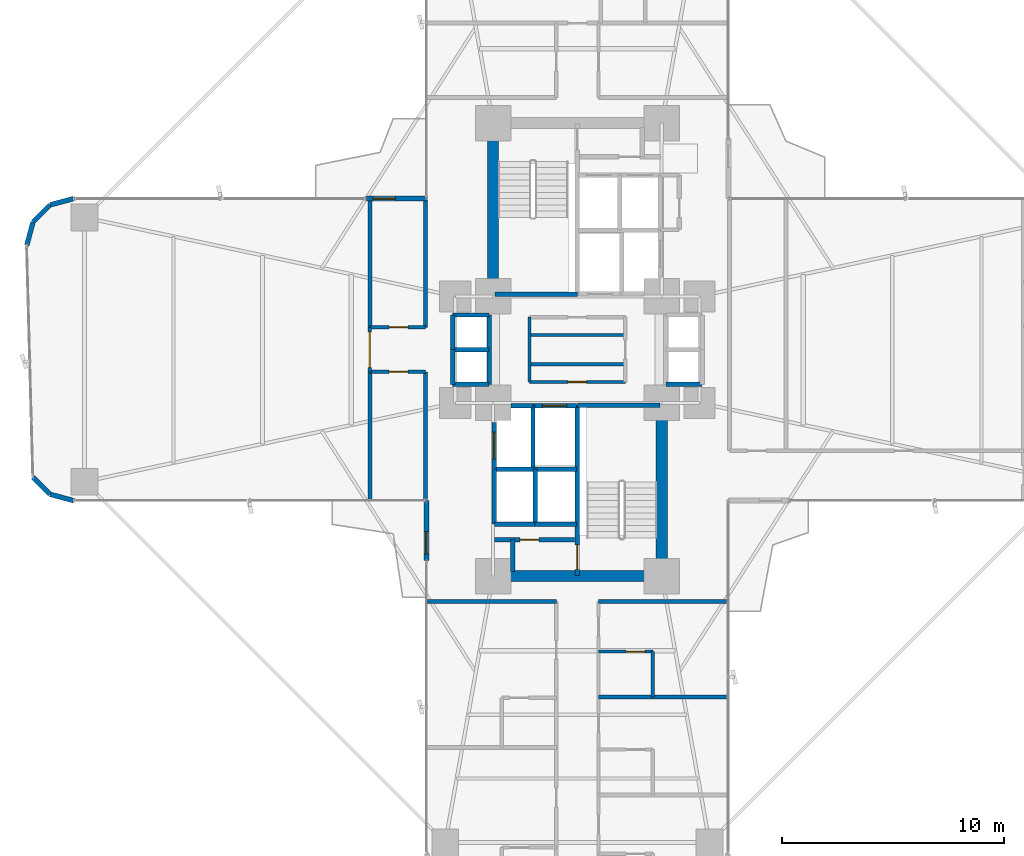
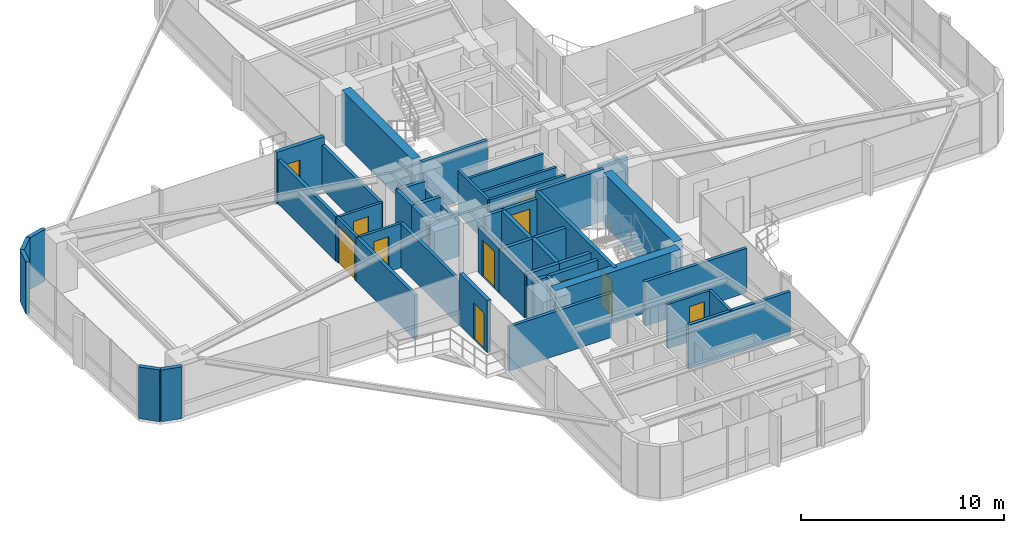
# One storey, part 22 of 25: 47 walls, 11 doors, 11 openings.
"""IFC4 building model written with IfcOpenShell, lengths in metres."""

from ifc_helpers import new_model, si_unit, direction, frame, frame_2d, origin, origin_2d, place, context, subcontext, project, spatial, rectangle, extrude, source, transform, mapped, material, layer, layer_set, type_object, element, fill, save


model = new_model("IFC4")

# Units and contexts
model_context = context("Model", 3, precision=1e-05, world=origin(), true_north=direction((0.0, 1.0)))
body_context = subcontext(model_context, "Body", "Model", "MODEL_VIEW")
ifc_project = project(units=[si_unit("LENGTHUNIT", "METRE"), si_unit("AREAUNIT", "SQUARE_METRE"), si_unit("VOLUMEUNIT", "CUBIC_METRE"), si_unit("PLANEANGLEUNIT", "RADIAN"), si_unit("MASSUNIT", "GRAM", prefix="KILO")], contexts=[model_context])

# Site, building, storey
site_placement = place(None, origin())
site = spatial("IfcSite", under=ifc_project, at=site_placement, CompositionType="ELEMENT")
building_placement = place(site_placement, origin())
building = spatial("IfcBuilding", under=site, at=building_placement, Name="Sahyath Konkavel Grand Hotel", CompositionType="ELEMENT")
storey_placement = place(building_placement, frame((0.0, 0.0, 39.85009765625)))
storey = spatial("IfcBuildingStorey", under=building, at=storey_placement, Name="L10", CompositionType="ELEMENT", Elevation=39.85009765625)

# Walls
ifc_material_1 = material(Name="Concrete C70/85", Category="concrete")
ifc_layer_1 = layer(ifc_material_1, 0.5)
ifc_layer_set_1 = layer_set([ifc_layer_1], Name="Concrete C70/85")
wall_type_1 = type_object("IfcWallType", Name="CWALL-500", PredefinedType="SHEAR", material=ifc_layer_set_1)
wall_1_placement = place(storey_placement, frame((-3.800048828125, 2.85009765625, 0.0), z_axis=(0.0, 0.0, 1.0), x_axis=(0.0, 1.0, 0.0)))
element("IfcWall", 1, at=wall_1_placement, inside=storey, type_object=wall_type_1, Name="L10 North Core Shear Wall W", PredefinedType="SHEAR", context=body_context, shape_type="SweptSolid", body=[
    extrude(rectangle(XDim=6.89990234375, YDim=0.5, at=frame_2d((3.449951171875, 0.0))), origin(), (0.0, 0.0, 1.0), 3.10986328125),
])
wall_2_placement = place(storey_placement, frame((-3.550048828125, -10.199951171875, 0.0), z_axis=(0.0, 0.0, 1.0), x_axis=(1.0, 0.0, 0.0)))
element("IfcWall", 2, at=wall_2_placement, inside=storey, type_object=wall_type_1, Name="L10 South Core Shear Wall S", PredefinedType="SHEAR", context=body_context, shape_type="SweptSolid", body=[
    extrude(rectangle(XDim=7.10009765625, YDim=0.5, at=frame_2d((3.550048828125, 0.0))), origin(), (0.0, 0.0, 1.0), 3.10986328125),
])
wall_3_placement = place(storey_placement, frame((3.800048828125, -9.75, 0.0), z_axis=(0.0, 0.0, 1.0), x_axis=(0.0, 1.0, 0.0)))
element("IfcWall", 3, at=wall_3_placement, inside=storey, type_object=wall_type_1, Name="L10 South Core Shear Wall E", PredefinedType="SHEAR", context=body_context, shape_type="SweptSolid", body=[
    extrude(rectangle(XDim=6.89990234375, YDim=0.5, at=frame_2d((3.449951171875, 0.0))), origin(), (0.0, 0.0, 1.0), 3.10986328125),
])

# Wall, opening, door
ifc_material_2 = material(Name="Warm Buff Sandstone Insulated Concrete C40/50", Category="masonry")
ifc_layer_2 = layer(ifc_material_2, 0.219970703125)
ifc_layer_set_2 = layer_set([ifc_layer_2], Name="Warm Buff Sandstone Insulated Concrete C40/50")
wall_type_2 = type_object("IfcWallType", Name="WLL-BALC-THRESH", PredefinedType="STANDARD", material=ifc_layer_set_2)
wall_4_placement = place(storey_placement, frame((-6.800048828125, 6.800048828125, 0.0), z_axis=(0.0, 0.0, 1.0), x_axis=(-1.0, 0.0, 0.0)))
wall_4 = element("IfcWall", 4, at=wall_4_placement, inside=storey, type_object=wall_type_2, Name="L10 Winter-Garden Threshold Wall 16", PredefinedType="STANDARD", context=body_context, shape_type="SweptSolid", body=[
    extrude(rectangle(XDim=2.699951171875, YDim=0.219970703125, at=frame_2d((1.35009765625, 0.0))), origin(), (0.0, 0.0, 1.0), 3.10986328125),
])
opening_1_placement = place(wall_4_placement, frame((1.39990234375, 0.0, 0.0)))
opening_1 = element("IfcOpeningElement", 5, at=opening_1_placement, cuts=wall_4, Name="Opening D-TR1", PredefinedType="OPENING", context=body_context, shape_type="SweptSolid", body=[
    extrude(rectangle(XDim=1.0, YDim=2.199951171875, at=frame_2d((0.5, 1.10009765625))), frame((0.0, 0.1201171875, 0.0), z_axis=(0.0, -1.0, 0.0), x_axis=(1.0, 0.0, 0.0)), (0.0, 0.0, 1.0), 0.239990234375),
])
ifc_material_3 = material(Name="Anodised Bronze Aluminium & Low-E Glazing", Category="aluminium")
door_type_1 = type_object("IfcDoorType", Name="DR-TERRACE-1000", OperationType="NOTDEFINED", PredefinedType="DOOR", material=ifc_material_3)
shared_shape_1 = source(origin(), body_context, "Body", "SweptSolid", [
    extrude(rectangle(XDim=1.0, YDim=0.050048828125, at=origin_2d()), origin(), (0.0, 0.0, 1.0), 2.199951171875),
])
door_1_placement = place(opening_1_placement, frame((0.5, 0.0, 0.0)))
door_1 = element("IfcDoor", 6, at=door_1_placement, inside=storey, type_object=door_type_1, Name="L10 Winter-Garden Terrace Door 16", OperationType="SINGLE_SWING_LEFT", OverallHeight=2.199951171875, OverallWidth=1.0, PredefinedType="DOOR", context=body_context, shape_type="MappedRepresentation", body=[
    mapped(shared_shape_1, transform((0.0, 0.0, 0.0), scale=1.0)),
])
fill(opening_1, door_1)

# Walls
for number, where, z_axis, x_axis, name in (
    (7, (-22.699951171875, 6.800048828125, 0.0), (0.0, 0.0, 1.0), (-0.965951058412, -0.25872485917, 0.0), "L10 Rounded Corner Sandstone Pier 17"),
    (8, (-23.75, 6.518798828125, 0.0), (0.0, 0.0, 1.0), (-0.707106781187, -0.707106781187, 0.0), "L10 Rounded Corner Sandstone Pier 18"),
    (9, (-24.518798828125, 5.75, 0.0), (0.0, 0.0, 1.0), (-0.25872485917, -0.965951058412, 0.0), "L10 Rounded Corner Sandstone Pier 19"),
    (10, (-24.518798828125, -5.75, 0.0), (0.0, 0.0, 1.0), (0.707106781187, -0.707106781187, 0.0), "L10 Rounded Corner Sandstone Pier 21"),
    (11, (-23.75, -6.518798828125, 0.0), (0.0, 0.0, 1.0), (0.965951058412, -0.25872485917, 0.0), "L10 Rounded Corner Sandstone Pier 22"),
):
    element("IfcWall", number, at=place(storey_placement, frame(where, z_axis=z_axis, x_axis=x_axis)), inside=storey, type_object=wall_type_2, Name=name, PredefinedType="STANDARD", context=body_context, shape_type="SweptSolid", body=[
        extrude(rectangle(XDim=1.087158203125, YDim=0.219970703125, at=frame_2d((0.54345703125, 0.0))), origin(), (0.0, 0.0, 1.0), 3.10986328125),
    ])

# Wall, opening, door
wall_5_placement = place(storey_placement, frame((-6.800048828125, -6.800048828125, 0.0), z_axis=(0.0, 0.0, 1.0), x_axis=(0.0, -1.0, 0.0)))
wall_5 = element("IfcWall", 12, at=wall_5_placement, inside=storey, type_object=wall_type_2, Name="L10 Winter-Garden Threshold Wall 24", PredefinedType="STANDARD", context=body_context, shape_type="SweptSolid", body=[
    extrude(rectangle(XDim=2.699951171875, YDim=0.219970703125, at=frame_2d((1.35009765625, 0.0))), origin(), (0.0, 0.0, 1.0), 3.10986328125),
])
opening_2_placement = place(wall_5_placement, frame((1.39990234375, 0.0, 0.0)))
opening_2 = element("IfcOpeningElement", 13, at=opening_2_placement, cuts=wall_5, Name="Opening D-TR1", PredefinedType="OPENING", context=body_context, shape_type="SweptSolid", body=[
    extrude(rectangle(XDim=1.0, YDim=2.199951171875, at=frame_2d((0.5, 1.10009765625))), frame((0.0, 0.1201171875, 0.0), z_axis=(0.0, -1.0, 0.0), x_axis=(1.0, 0.0, 0.0)), (0.0, 0.0, 1.0), 0.239990234375),
])
door_2_placement = place(opening_2_placement, frame((0.5, 0.0, 0.0)))
door_2 = element("IfcDoor", 14, at=door_2_placement, inside=storey, type_object=door_type_1, Name="L10 Winter-Garden Terrace Door 24", OperationType="SINGLE_SWING_LEFT", OverallHeight=2.199951171875, OverallWidth=1.0, PredefinedType="DOOR", context=body_context, shape_type="MappedRepresentation", body=[
    mapped(shared_shape_1, transform((0.0, 0.0, 0.0), scale=1.0)),
])
fill(opening_2, door_2)

# Wall
ifc_material_4 = material(Name="Concrete C40/50", Category="concrete")
ifc_layer_3 = layer(ifc_material_4, 0.199951171875)
ifc_layer_set_3 = layer_set([ifc_layer_3], Name="Concrete C40/50")
wall_type_3 = type_object("IfcWallType", Name="WLL-CORE-200", PredefinedType="SOLIDWALL", material=ifc_layer_set_3)
wall_6_placement = place(storey_placement, frame((-3.719970703125, 2.5, 0.0), z_axis=(0.0, 0.0, 1.0), x_axis=(1.0, 0.0, 0.0)))
element("IfcWall", 15, at=wall_6_placement, inside=storey, type_object=wall_type_3, Name="L10 Stair ST-1 Shaft Wall S", PredefinedType="SOLIDWALL", context=body_context, shape_type="SweptSolid", body=[
    extrude(rectangle(XDim=3.719970703125, YDim=0.199951171875, at=frame_2d((1.85986328125, 0.0))), origin(), (0.0, 0.0, 1.0), 3.10986328125),
])

# Wall, opening, door
wall_7_placement = place(storey_placement, frame((0.0, -10.179931640625, 0.0), z_axis=(0.0, 0.0, 1.0), x_axis=(0.0, 1.0, 0.0)))
wall_7 = element("IfcWall", 16, at=wall_7_placement, inside=storey, type_object=wall_type_3, Name="L10 Stair ST-2 Shaft Wall W", PredefinedType="SOLIDWALL", context=body_context, shape_type="SweptSolid", body=[
    extrude(rectangle(XDim=7.679931640625, YDim=0.199951171875, at=frame_2d((3.83984375, 0.0))), origin(), (0.0, 0.0, 1.0), 3.10986328125),
])
opening_3_placement = place(wall_7_placement, frame((0.280029296875, 0.0, 0.0)))
opening_3 = element("IfcOpeningElement", 17, at=opening_3_placement, cuts=wall_7, Name="Opening D-F12B", PredefinedType="OPENING", context=body_context, shape_type="SweptSolid", body=[
    extrude(rectangle(XDim=1.10009765625, YDim=2.14990234375, at=frame_2d((0.550048828125, 1.074951171875))), frame((0.0, 0.10986328125, 0.0), z_axis=(0.0, -1.0, 0.0), x_axis=(1.0, 0.0, 0.0)), (0.0, 0.0, 1.0), 0.219970703125),
])
ifc_material_5 = material(Name="Steel E350 Smokeproof Fire Door", Category="steel")
door_type_2 = type_object("IfcDoorType", Name="DR-FD120-1100", OperationType="NOTDEFINED", PredefinedType="DOOR", material=ifc_material_5)
shared_shape_2 = source(origin(), body_context, "Body", "SweptSolid", [
    extrude(rectangle(XDim=1.10009765625, YDim=0.050048828125, at=origin_2d()), origin(), (0.0, 0.0, 1.0), 2.14990234375),
])
door_3_placement = place(opening_3_placement, frame((0.550048828125, 0.0, 0.0)))
door_3 = element("IfcDoor", 18, at=door_3_placement, inside=storey, type_object=door_type_2, Name="L10 Stair ST-2 Fire Door", OperationType="SINGLE_SWING_RIGHT", OverallHeight=2.14990234375, OverallWidth=1.10009765625, PredefinedType="DOOR", context=body_context, shape_type="MappedRepresentation", body=[
    mapped(shared_shape_2, transform((0.0, 0.0, 0.0), scale=1.0)),
])
fill(opening_3, door_3)

# Walls
wall_8_placement = place(storey_placement, frame((0.0, -2.5, 0.0), z_axis=(0.0, 0.0, 1.0), x_axis=(1.0, 0.0, 0.0)))
element("IfcWall", 19, at=wall_8_placement, inside=storey, type_object=wall_type_3, Name="L10 Stair ST-2 Shaft Wall N", PredefinedType="SOLIDWALL", context=body_context, shape_type="SweptSolid", body=[
    extrude(rectangle(XDim=3.719970703125, YDim=0.199951171875, at=frame_2d((1.85986328125, 0.0))), origin(), (0.0, 0.0, 1.0), 3.10986328125),
])
wall_9_placement = place(storey_placement, frame((-2.0, -5.280029296875, 0.0), z_axis=(0.0, 0.0, 1.0), x_axis=(0.0, 1.0, 0.0)))
element("IfcWall", 20, at=wall_9_placement, inside=storey, type_object=wall_type_3, Name="L10 Partition SH-FFL2-W", PredefinedType="SOLIDWALL", context=body_context, shape_type="SweptSolid", body=[
    extrude(rectangle(XDim=2.780029296875, YDim=0.199951171875, at=frame_2d((1.39013671875, 0.0))), origin(), (0.0, 0.0, 1.0), 2.659912109375),
])

# Wall, opening, door
wall_10_placement = place(storey_placement, frame((-2.0, -2.52001953125, 0.0), z_axis=(0.0, 0.0, 1.0), x_axis=(1.0, 0.0, 0.0)))
wall_10 = element("IfcWall", 21, at=wall_10_placement, inside=storey, type_object=wall_type_3, Name="L10 Partition SH-FFL2-N", PredefinedType="SOLIDWALL", context=body_context, shape_type="SweptSolid", body=[
    extrude(rectangle(XDim=1.949951171875, YDim=0.199951171875, at=frame_2d((0.97509765625, 0.0))), origin(), (0.0, 0.0, 1.0), 2.659912109375),
])
opening_4_placement = place(wall_10_placement, frame((0.419921875, 0.0, 0.0)))
opening_4 = element("IfcOpeningElement", 22, at=opening_4_placement, cuts=wall_10, Name="Opening LD-11", PredefinedType="OPENING", context=body_context, shape_type="SweptSolid", body=[
    extrude(rectangle(XDim=1.10009765625, YDim=2.199951171875, at=frame_2d((0.550048828125, 1.10009765625))), frame((0.0, 0.10986328125, 0.0), z_axis=(0.0, -1.0, 0.0), x_axis=(1.0, 0.0, 0.0)), (0.0, 0.0, 1.0), 0.219970703125),
])
ifc_material_6 = material(Name="Bronze Lift Landing Door 1100")
door_type_3 = type_object("IfcDoorType", Name="DR-LIFT-1100", OperationType="DOUBLE_DOOR_SLIDING", PredefinedType="DOOR", material=ifc_material_6)
shared_shape_3 = source(origin(), body_context, "Body", "SweptSolid", [
    extrude(rectangle(XDim=1.10009765625, YDim=0.050048828125, at=origin_2d()), origin(), (0.0, 0.0, 1.0), 2.199951171875),
])
door_4_placement = place(opening_4_placement, frame((0.550048828125, 0.0, 0.0)))
door_4 = element("IfcDoor", 23, at=door_4_placement, inside=storey, type_object=door_type_3, Name="L10 Lift FFL-2 Landing Door", OperationType="DOUBLE_DOOR_SLIDING", OverallHeight=2.199951171875, OverallWidth=1.10009765625, PredefinedType="DOOR", context=body_context, shape_type="MappedRepresentation", body=[
    mapped(shared_shape_3, transform((0.0, 0.0, 0.0), scale=1.0)),
])
fill(opening_4, door_4)

# Wall
wall_11_placement = place(storey_placement, frame((-3.0, -2.52001953125, 0.0), z_axis=(0.0, 0.0, 1.0), x_axis=(1.0, 0.0, 0.0)))
element("IfcWall", 24, at=wall_11_placement, inside=storey, type_object=wall_type_3, Name="L10 Partition SH-SVL2-N", PredefinedType="SOLIDWALL", context=body_context, shape_type="SweptSolid", body=[
    extrude(rectangle(XDim=1.0, YDim=0.199951171875, at=frame_2d((0.5, 0.0))), origin(), (0.0, 0.0, 1.0), 2.659912109375),
])

# Wall, opening, door
wall_12_placement = place(storey_placement, frame((-3.739990234375, -5.360107421875, 0.0), z_axis=(0.0, 0.0, 1.0), x_axis=(0.0, 1.0, 0.0)))
wall_12 = element("IfcWall", 25, at=wall_12_placement, inside=storey, type_object=wall_type_3, Name="L10 Partition SH-SVL2-W", PredefinedType="SOLIDWALL", context=body_context, shape_type="SweptSolid", body=[
    extrude(rectangle(XDim=2.080078125, YDim=0.199951171875, at=frame_2d((1.0400390625, 0.0))), origin(), (0.0, 0.0, 1.0), 2.659912109375),
])
opening_5_placement = place(wall_12_placement, frame((0.43994140625, 0.0, 0.0)))
opening_5 = element("IfcOpeningElement", 26, at=opening_5_placement, cuts=wall_12, Name="Opening LD-12", PredefinedType="OPENING", context=body_context, shape_type="SweptSolid", body=[
    extrude(rectangle(XDim=1.199951171875, YDim=2.199951171875, at=frame_2d((0.60009765625, 1.10009765625))), frame((0.0, 0.10986328125, 0.0), z_axis=(0.0, -1.0, 0.0), x_axis=(1.0, 0.0, 0.0)), (0.0, 0.0, 1.0), 0.219970703125),
])
ifc_material_7 = material(Name="Stainless Steel Lift Landing Door 1200", Category="steel")
door_type_4 = type_object("IfcDoorType", Name="DR-LIFT-1200", OperationType="DOUBLE_DOOR_SLIDING", PredefinedType="DOOR", material=ifc_material_7)
shared_shape_4 = source(origin(), body_context, "Body", "SweptSolid", [
    extrude(rectangle(XDim=1.199951171875, YDim=0.050048828125, at=origin_2d()), origin(), (0.0, 0.0, 1.0), 2.199951171875),
])
door_5_placement = place(opening_5_placement, frame((0.60009765625, 0.0, 0.0)))
door_5 = element("IfcDoor", 27, at=door_5_placement, inside=storey, type_object=door_type_4, Name="L10 Service Lift SVL-2 Landing Door", OperationType="DOUBLE_DOOR_SLIDING", OverallHeight=2.199951171875, OverallWidth=1.199951171875, PredefinedType="DOOR", context=body_context, shape_type="MappedRepresentation", body=[
    mapped(shared_shape_4, transform((0.0, 0.0, 0.0), scale=1.0)),
])
fill(opening_5, door_5)

# Walls
wall_13_placement = place(storey_placement, frame((-3.739990234375, -7.860107421875, 0.0), z_axis=(0.0, 0.0, 1.0), x_axis=(0.0, 1.0, 0.0)))
element("IfcWall", 28, at=wall_13_placement, inside=storey, type_object=wall_type_3, Name="L10 Partition SH-PL3-W", PredefinedType="SOLIDWALL", context=body_context, shape_type="SweptSolid", body=[
    extrude(rectangle(XDim=2.480224609375, YDim=0.199951171875, at=frame_2d((1.240234375, 0.0))), origin(), (0.0, 0.0, 1.0), 2.659912109375),
])
wall_14_placement = place(storey_placement, frame((-3.739990234375, -7.860107421875, 0.0), z_axis=(0.0, 0.0, 1.0), x_axis=(1.0, 0.0, 0.0)))
element("IfcWall", 29, at=wall_14_placement, inside=storey, type_object=wall_type_3, Name="L10 Partition SH-PL3-S", PredefinedType="SOLIDWALL", context=body_context, shape_type="SweptSolid", body=[
    extrude(rectangle(XDim=1.840087890625, YDim=0.199951171875, at=frame_2d((0.919921875, 0.0))), origin(), (0.0, 0.0, 1.0), 2.659912109375),
])
wall_15_placement = place(storey_placement, frame((-3.739990234375, -5.3798828125, 0.0), z_axis=(0.0, 0.0, 1.0), x_axis=(1.0, 0.0, 0.0)))
element("IfcWall", 30, at=wall_15_placement, inside=storey, type_object=wall_type_3, Name="L10 Partition SH-PL34-N", PredefinedType="SOLIDWALL", context=body_context, shape_type="SweptSolid", body=[
    extrude(rectangle(XDim=3.68994140625, YDim=0.199951171875, at=frame_2d((1.844970703125, 0.0))), origin(), (0.0, 0.0, 1.0), 2.659912109375),
])
wall_16_placement = place(storey_placement, frame((-1.89990234375, -7.860107421875, 0.0), z_axis=(0.0, 0.0, 1.0), x_axis=(0.0, 1.0, 0.0)))
element("IfcWall", 31, at=wall_16_placement, inside=storey, type_object=wall_type_3, Name="L10 Partition SH-PL34-M", PredefinedType="SOLIDWALL", context=body_context, shape_type="SweptSolid", body=[
    extrude(rectangle(XDim=2.480224609375, YDim=0.199951171875, at=frame_2d((1.240234375, 0.0))), origin(), (0.0, 0.0, 1.0), 2.659912109375),
])
wall_17_placement = place(storey_placement, frame((-1.89990234375, -7.860107421875, 0.0), z_axis=(0.0, 0.0, 1.0), x_axis=(1.0, 0.0, 0.0)))
element("IfcWall", 32, at=wall_17_placement, inside=storey, type_object=wall_type_3, Name="L10 Partition SH-PL4-S", PredefinedType="SOLIDWALL", context=body_context, shape_type="SweptSolid", body=[
    extrude(rectangle(XDim=1.849853515625, YDim=0.199951171875, at=frame_2d((0.9248046875, 0.0))), origin(), (0.0, 0.0, 1.0), 2.659912109375),
])
wall_18_placement = place(storey_placement, frame((3.97998046875, -1.56005859375, 0.0), z_axis=(0.0, 0.0, 1.0), x_axis=(1.0, 0.0, 0.0)))
element("IfcWall", 33, at=wall_18_placement, inside=storey, type_object=wall_type_3, Name="L10 Partition SH-PL56-S", PredefinedType="SOLIDWALL", context=body_context, shape_type="SweptSolid", body=[
    extrude(rectangle(XDim=1.64013671875, YDim=0.199951171875, at=frame_2d((0.820068359375, 0.0))), origin(), (0.0, 0.0, 1.0), 2.659912109375),
])
wall_19_placement = place(storey_placement, frame((-3.97998046875, -1.56005859375, 0.0), z_axis=(0.0, 0.0, 1.0), x_axis=(0.0, 1.0, 0.0)))
element("IfcWall", 34, at=wall_19_placement, inside=storey, type_object=wall_type_3, Name="L10 Partition SH-SL12-E", PredefinedType="SOLIDWALL", context=body_context, shape_type="SweptSolid", body=[
    extrude(rectangle(XDim=3.1201171875, YDim=0.199951171875, at=frame_2d((1.56005859375, 0.0))), origin(), (0.0, 0.0, 1.0), 2.179931640625),
])
for number, where, z_axis, x_axis, name in (
    (35, (-5.6201171875, 1.56005859375, 0.0), (0.0, 0.0, 1.0), (1.0, 0.0, 0.0), "L10 Partition SH-SL12-N"),
    (36, (-5.6201171875, -1.56005859375, 0.0), (0.0, 0.0, 1.0), (1.0, 0.0, 0.0), "L10 Partition SH-SL12-S"),
    (37, (-5.6201171875, 0.0, 0.0), (0.0, 0.0, 1.0), (1.0, 0.0, 0.0), "L10 Partition SH-SL12-M"),
):
    element("IfcWall", number, at=place(storey_placement, frame(where, z_axis=z_axis, x_axis=x_axis)), inside=storey, type_object=wall_type_3, Name=name, PredefinedType="SOLIDWALL", context=body_context, shape_type="SweptSolid", body=[
        extrude(rectangle(XDim=1.64013671875, YDim=0.199951171875, at=frame_2d((0.820068359375, 0.0))), origin(), (0.0, 0.0, 1.0), 2.659912109375),
    ])
for number, where, z_axis, x_axis, name in (
    (38, (-5.6201171875, 0.0, 0.0), (0.0, 0.0, 1.0), (0.0, 1.0, 0.0), "L10 Partition SH-SL1-W"),
    (39, (-5.6201171875, -1.56005859375, 0.0), (0.0, 0.0, 1.0), (0.0, 1.0, 0.0), "L10 Partition SH-SL2-W"),
):
    element("IfcWall", number, at=place(storey_placement, frame(where, z_axis=z_axis, x_axis=x_axis)), inside=storey, type_object=wall_type_3, Name=name, PredefinedType="SOLIDWALL", context=body_context, shape_type="SweptSolid", body=[
        extrude(rectangle(XDim=1.56005859375, YDim=0.199951171875, at=frame_2d((0.780029296875, 0.0))), origin(), (0.0, 0.0, 1.0), 2.659912109375),
    ])

# Wall, opening, door
wall_20_placement = place(storey_placement, frame((-3.739990234375, -8.56005859375, 0.0), z_axis=(0.0, 0.0, 1.0), x_axis=(1.0, 0.0, 0.0)))
wall_20 = element("IfcWall", 40, at=wall_20_placement, inside=storey, type_object=wall_type_3, Name="L10 South FF Lobby Separation Wall", PredefinedType="SOLIDWALL", context=body_context, shape_type="SweptSolid", body=[
    extrude(rectangle(XDim=3.619873046875, YDim=0.199951171875, at=frame_2d((1.81005859375, 0.0))), origin(), (0.0, 0.0, 1.0), 2.659912109375),
])
opening_6_placement = place(wall_20_placement, frame((1.14990234375, 0.0, 0.0)))
opening_6 = element("IfcOpeningElement", 41, at=opening_6_placement, cuts=wall_20, Name="Opening D-F12D", PredefinedType="OPENING", context=body_context, shape_type="SweptSolid", body=[
    extrude(rectangle(XDim=0.85009765625, YDim=2.10009765625, at=frame_2d((0.425048828125, 1.050048828125))), frame((0.0, 0.10986328125, 0.0), z_axis=(0.0, -1.0, 0.0), x_axis=(1.0, 0.0, 0.0)), (0.0, 0.0, 1.0), 0.219970703125),
])
ifc_material_8 = material(Name="Steel E350 Core Fire Door", Category="steel")
door_type_5 = type_object("IfcDoorType", Name="DR-FD120-850", OperationType="NOTDEFINED", PredefinedType="DOOR", material=ifc_material_8)
shared_shape_5 = source(origin(), body_context, "Body", "SweptSolid", [
    extrude(rectangle(XDim=0.85009765625, YDim=0.050048828125, at=origin_2d()), origin(), (0.0, 0.0, 1.0), 2.10009765625),
])
door_6_placement = place(opening_6_placement, frame((0.425048828125, 0.0, 0.0)))
door_6 = element("IfcDoor", 42, at=door_6_placement, inside=storey, type_object=door_type_5, Name="L10 South Firefighting Lobby Door", OperationType="SINGLE_SWING_LEFT", OverallHeight=2.10009765625, OverallWidth=0.85009765625, PredefinedType="DOOR", context=body_context, shape_type="MappedRepresentation", body=[
    mapped(shared_shape_5, transform((0.0, 0.0, 0.0), scale=1.0)),
])
fill(opening_6, door_6)

# Walls
wall_21_placement = place(storey_placement, frame((-2.919921875, -10.0, 0.0), z_axis=(0.0, 0.0, 1.0), x_axis=(0.0, 1.0, 0.0)))
element("IfcWall", 43, at=wall_21_placement, inside=storey, type_object=wall_type_3, Name="L10 Partition SFF-W2", PredefinedType="SOLIDWALL", context=body_context, shape_type="SweptSolid", body=[
    extrude(rectangle(XDim=1.43994140625, YDim=0.199951171875, at=frame_2d((0.719970703125, 0.0))), origin(), (0.0, 0.0, 1.0), 2.659912109375),
])
ifc_material_9 = material(Name="Twin-Stud Acoustic Gypsum Plasterboard Partition")
ifc_layer_4 = layer(ifc_material_9, 0.179931640625)
ifc_layer_set_4 = layer_set([ifc_layer_4], Name="Twin-Stud Acoustic Gypsum Plasterboard Partition")
wall_type_4 = type_object("IfcWallType", Name="WLL-DEMISE-180", PredefinedType="PARTITIONING", material=ifc_layer_set_4)
for number, where, z_axis, x_axis, name in (
    (44, (-6.85009765625, -1.0, 0.0), (0.0, 0.0, 1.0), (0.0, -1.0, 0.0), "L10 Partition W-I0L"),
    (45, (-6.85009765625, 6.75, 0.0), (0.0, 0.0, 1.0), (0.0, -1.0, 0.0), "L10 Partition W-I0R"),
    (46, (-9.35009765625, 1.0, 0.0), (0.0, 0.0, 1.0), (0.0, 1.0, 0.0), "L10 Partition W-WHK0-DEM"),
    (47, (-9.35009765625, -1.0, 0.0), (0.0, 0.0, 1.0), (0.0, -1.0, 0.0), "L10 Partition W-WST0-DEM"),
):
    element("IfcWall", number, at=place(storey_placement, frame(where, z_axis=z_axis, x_axis=x_axis)), inside=storey, type_object=wall_type_4, Name=name, PredefinedType="PARTITIONING", context=body_context, shape_type="SweptSolid", body=[
        extrude(rectangle(XDim=5.75, YDim=0.179931640625, at=frame_2d((2.875, 0.0))), origin(), (0.0, 0.0, 1.0), 2.659912109375),
    ])
for number, where, z_axis, x_axis, name in (
    (48, (0.949951171875, -11.35009765625, 0.0), (0.0, 0.0, 1.0), (1.0, 0.0, 0.0), "L10 Partition S-INL"),
    (49, (-6.75, -11.35009765625, 0.0), (0.0, 0.0, 1.0), (1.0, 0.0, 0.0), "L10 Partition S-INR"),
    (50, (0.949951171875, -15.637939453125, 0.0), (0.0, 0.0, 1.0), (1.0, 0.0, 0.0), "L10 Partition S-S1L-DEM"),
):
    element("IfcWall", number, at=place(storey_placement, frame(where, z_axis=z_axis, x_axis=x_axis)), inside=storey, type_object=wall_type_4, Name=name, PredefinedType="PARTITIONING", context=body_context, shape_type="SweptSolid", body=[
        extrude(rectangle(XDim=5.800048828125, YDim=0.179931640625, at=frame_2d((2.89990234375, 0.0))), origin(), (0.0, 0.0, 1.0), 2.659912109375),
    ])
ifc_material_10 = material(Name="Fire-Rated Gypsum Plasterboard Partition")
ifc_layer_5 = layer(ifc_material_10, 0.14990234375)
ifc_layer_set_5 = layer_set([ifc_layer_5], Name="Fire-Rated Gypsum Plasterboard Partition")
wall_type_5 = type_object("IfcWallType", Name="WLL-PART-150", PredefinedType="PARTITIONING", material=ifc_layer_set_5)
wall_22_placement = place(storey_placement, frame((-2.159912109375, -1.4599609375, 0.0), z_axis=(0.0, 0.0, 1.0), x_axis=(0.0, 1.0, 0.0)))
element("IfcWall", 51, at=wall_22_placement, inside=storey, type_object=wall_type_5, Name="L10 Partition CC-2W", PredefinedType="PARTITIONING", context=body_context, shape_type="SweptSolid", body=[
    extrude(rectangle(XDim=2.919921875, YDim=0.14990234375, at=frame_2d((1.4599609375, 0.0))), origin(), (0.0, 0.0, 1.0), 2.659912109375),
])

# Wall, opening, door
wall_23_placement = place(storey_placement, frame((-2.159912109375, -1.4599609375, 0.0), z_axis=(0.0, 0.0, 1.0), x_axis=(1.0, 0.0, 0.0)))
wall_23 = element("IfcWall", 52, at=wall_23_placement, inside=storey, type_object=wall_type_5, Name="L10 Partition CC-2S", PredefinedType="PARTITIONING", context=body_context, shape_type="SweptSolid", body=[
    extrude(rectangle(XDim=4.31982421875, YDim=0.14990234375, at=frame_2d((2.159912109375, 0.0))), origin(), (0.0, 0.0, 1.0), 2.659912109375),
])
opening_7_placement = place(wall_23_placement, frame((1.72998046875, 0.0, 0.0)))
opening_7 = element("IfcOpeningElement", 53, at=opening_7_placement, cuts=wall_23, Name="Opening D-F06D", PredefinedType="OPENING", context=body_context, shape_type="SweptSolid", body=[
    extrude(rectangle(XDim=0.85009765625, YDim=2.10009765625, at=frame_2d((0.425048828125, 1.050048828125))), frame((0.0, 0.0849609375, 0.0), z_axis=(0.0, -1.0, 0.0), x_axis=(1.0, 0.0, 0.0)), (0.0, 0.0, 1.0), 0.169921875),
])
ifc_material_11 = material(Name="Fire-Rated Shaft Access Door")
door_type_6 = type_object("IfcDoorType", Name="DR-FD60-850", OperationType="NOTDEFINED", PredefinedType="DOOR", material=ifc_material_11)
door_7_placement = place(opening_7_placement, frame((0.425048828125, 0.0, 0.0)))
door_7 = element("IfcDoor", 54, at=door_7_placement, inside=storey, type_object=door_type_6, Name="L10 Door CC-D2C", OperationType="SINGLE_SWING_LEFT", OverallHeight=2.10009765625, OverallWidth=0.85009765625, PredefinedType="DOOR", context=body_context, shape_type="MappedRepresentation", body=[
    mapped(shared_shape_5, transform((0.0, 0.0, 0.0), scale=1.0)),
])
fill(opening_7, door_7)

# Walls
for number, where, z_axis, x_axis, name in (
    (55, (-2.159912109375, 0.659912109375, 0.0), (0.0, 0.0, 1.0), (1.0, 0.0, 0.0), "L10 Partition CC-2M1"),
    (56, (-2.159912109375, -0.659912109375, 0.0), (0.0, 0.0, 1.0), (1.0, 0.0, 0.0), "L10 Partition CC-2M2"),
):
    element("IfcWall", number, at=place(storey_placement, frame(where, z_axis=z_axis, x_axis=x_axis)), inside=storey, type_object=wall_type_5, Name=name, PredefinedType="PARTITIONING", context=body_context, shape_type="SweptSolid", body=[
        extrude(rectangle(XDim=4.31982421875, YDim=0.14990234375, at=frame_2d((2.159912109375, 0.0))), origin(), (0.0, 0.0, 1.0), 2.659912109375),
    ])

# Wall, opening, door
wall_24_placement = place(storey_placement, frame((-6.85009765625, -1.0, 0.0), z_axis=(0.0, 0.0, 1.0), x_axis=(-1.0, 0.0, 0.0)))
wall_24 = element("IfcWall", 57, at=wall_24_placement, inside=storey, type_object=wall_type_5, Name="L10 Partition W-C0L", PredefinedType="PARTITIONING", context=body_context, shape_type="SweptSolid", body=[
    extrude(rectangle(XDim=2.5, YDim=0.14990234375, at=frame_2d((1.25, 0.0))), origin(), (0.0, 0.0, 1.0), 2.659912109375),
])
opening_8_placement = place(wall_24_placement, frame((0.77490234375, 0.0, 0.0)))
opening_8 = element("IfcOpeningElement", 58, at=opening_8_placement, cuts=wall_24, Name="Opening D-F06D", PredefinedType="OPENING", context=body_context, shape_type="SweptSolid", body=[
    extrude(rectangle(XDim=0.85009765625, YDim=2.10009765625, at=frame_2d((0.425048828125, 1.050048828125))), frame((0.0, 0.0849609375, 0.0), z_axis=(0.0, -1.0, 0.0), x_axis=(1.0, 0.0, 0.0)), (0.0, 0.0, 1.0), 0.169921875),
])
door_8_placement = place(opening_8_placement, frame((0.425048828125, 0.0, 0.0)))
door_8 = element("IfcDoor", 59, at=door_8_placement, inside=storey, type_object=door_type_6, Name="L10 Door W-WST0-D", OperationType="SINGLE_SWING_LEFT", OverallHeight=2.10009765625, OverallWidth=0.85009765625, PredefinedType="DOOR", context=body_context, shape_type="MappedRepresentation", body=[
    mapped(shared_shape_5, transform((0.0, 0.0, 0.0), scale=1.0)),
])
fill(opening_8, door_8)

wall_25_placement = place(storey_placement, frame((-6.85009765625, 1.0, 0.0), z_axis=(0.0, 0.0, 1.0), x_axis=(-1.0, 0.0, 0.0)))
wall_25 = element("IfcWall", 60, at=wall_25_placement, inside=storey, type_object=wall_type_5, Name="L10 Partition W-C0R", PredefinedType="PARTITIONING", context=body_context, shape_type="SweptSolid", body=[
    extrude(rectangle(XDim=2.5, YDim=0.14990234375, at=frame_2d((1.25, 0.0))), origin(), (0.0, 0.0, 1.0), 2.659912109375),
])
opening_9_placement = place(wall_25_placement, frame((0.77490234375, 0.0, 0.0)))
opening_9 = element("IfcOpeningElement", 61, at=opening_9_placement, cuts=wall_25, Name="Opening D-F06D", PredefinedType="OPENING", context=body_context, shape_type="SweptSolid", body=[
    extrude(rectangle(XDim=0.85009765625, YDim=2.10009765625, at=frame_2d((0.425048828125, 1.050048828125))), frame((0.0, 0.0849609375, 0.0), z_axis=(0.0, -1.0, 0.0), x_axis=(1.0, 0.0, 0.0)), (0.0, 0.0, 1.0), 0.169921875),
])
door_9_placement = place(opening_9_placement, frame((0.425048828125, 0.0, 0.0)))
door_9 = element("IfcDoor", 62, at=door_9_placement, inside=storey, type_object=door_type_6, Name="L10 Door W-WHK0-D", OperationType="SINGLE_SWING_RIGHT", OverallHeight=2.10009765625, OverallWidth=0.85009765625, PredefinedType="DOOR", context=body_context, shape_type="MappedRepresentation", body=[
    mapped(shared_shape_5, transform((0.0, 0.0, 0.0), scale=1.0)),
])
fill(opening_9, door_9)

wall_26_placement = place(storey_placement, frame((-9.35009765625, 1.0, 0.0), z_axis=(0.0, 0.0, 1.0), x_axis=(0.0, -1.0, 0.0)))
wall_26 = element("IfcWall", 63, at=wall_26_placement, inside=storey, type_object=wall_type_5, Name="L10 Partition W-SAL-IN", PredefinedType="PARTITIONING", context=body_context, shape_type="SweptSolid", body=[
    extrude(rectangle(XDim=2.0, YDim=0.14990234375, at=frame_2d((1.0, 0.0))), origin(), (0.0, 0.0, 1.0), 2.659912109375),
])
opening_10_placement = place(wall_26_placement, frame((0.199951171875, 0.0, 0.0)))
opening_10 = element("IfcOpeningElement", 64, at=opening_10_placement, cuts=wall_26, Name="Opening D-DB16", PredefinedType="OPENING", context=body_context, shape_type="SweptSolid", body=[
    extrude(rectangle(XDim=1.60009765625, YDim=2.25, at=frame_2d((0.800048828125, 1.125))), frame((0.0, 0.0849609375, 0.0), z_axis=(0.0, -1.0, 0.0), x_axis=(1.0, 0.0, 0.0)), (0.0, 0.0, 1.0), 0.169921875),
])
ifc_material_12 = material(Name="Double Leaf Lounge Glazed Timber Door", Category="wood")
door_type_7 = type_object("IfcDoorType", Name="DR-DBL-1600", OperationType="DOUBLE_DOOR_SINGLE_SWING", PredefinedType="DOOR", material=ifc_material_12)
shared_shape_6 = source(origin(), body_context, "Body", "SweptSolid", [
    extrude(rectangle(XDim=1.60009765625, YDim=0.050048828125, at=origin_2d()), origin(), (0.0, 0.0, 1.0), 2.25),
])
door_10_placement = place(opening_10_placement, frame((0.800048828125, 0.0, 0.0)))
door_10 = element("IfcDoor", 65, at=door_10_placement, inside=storey, type_object=door_type_7, Name="L10 Door W-SAL-D", OperationType="DOUBLE_DOOR_SINGLE_SWING", OverallHeight=2.25, OverallWidth=1.60009765625, PredefinedType="DOOR", context=body_context, shape_type="MappedRepresentation", body=[
    mapped(shared_shape_6, transform((0.0, 0.0, 0.0), scale=1.0)),
])
fill(opening_10, door_10)

wall_27_placement = place(storey_placement, frame((0.949951171875, -13.60009765625, 0.0), z_axis=(0.0, 0.0, 1.0), x_axis=(1.0, 0.0, 0.0)))
wall_27 = element("IfcWall", 66, at=wall_27_placement, inside=storey, type_object=wall_type_5, Name="L10 Partition S-S1L-BS", PredefinedType="PARTITIONING", context=body_context, shape_type="SweptSolid", body=[
    extrude(rectangle(XDim=2.449951171875, YDim=0.14990234375, at=frame_2d((1.22509765625, 0.0))), origin(), (0.0, 0.0, 1.0), 2.659912109375),
])
opening_11_placement = place(wall_27_placement, frame((1.25, 0.0, 0.0)))
opening_11 = element("IfcOpeningElement", 67, at=opening_11_placement, cuts=wall_27, Name="Opening D-BT85", PredefinedType="OPENING", context=body_context, shape_type="SweptSolid", body=[
    extrude(rectangle(XDim=0.85009765625, YDim=2.10009765625, at=frame_2d((0.425048828125, 1.050048828125))), frame((0.0, 0.0849609375, 0.0), z_axis=(0.0, -1.0, 0.0), x_axis=(1.0, 0.0, 0.0)), (0.0, 0.0, 1.0), 0.169921875),
])
ifc_material_13 = material(Name="Moisture-Resistant Teak Bathroom Door")
door_type_8 = type_object("IfcDoorType", Name="DR-BATH-850", OperationType="NOTDEFINED", PredefinedType="DOOR", material=ifc_material_13)
door_11_placement = place(opening_11_placement, frame((0.425048828125, 0.0, 0.0)))
door_11 = element("IfcDoor", 68, at=door_11_placement, inside=storey, type_object=door_type_8, Name="L10 Door S-S1L-BD", OperationType="SINGLE_SWING_RIGHT", OverallHeight=2.10009765625, OverallWidth=0.85009765625, PredefinedType="DOOR", context=body_context, shape_type="MappedRepresentation", body=[
    mapped(shared_shape_5, transform((0.0, 0.0, 0.0), scale=1.0)),
])
fill(opening_11, door_11)

# Wall
wall_28_placement = place(storey_placement, frame((3.39990234375, -13.60009765625, 0.0), z_axis=(0.0, 0.0, 1.0), x_axis=(0.0, -1.0, 0.0)))
element("IfcWall", 69, at=wall_28_placement, inside=storey, type_object=wall_type_5, Name="L10 Partition S-S1L-BF", PredefinedType="PARTITIONING", context=body_context, shape_type="SweptSolid", body=[
    extrude(rectangle(XDim=2.037841796875, YDim=0.14990234375, at=frame_2d((1.01904296875, 0.0))), origin(), (0.0, 0.0, 1.0), 2.659912109375),
])

save(model, "model.ifc")
